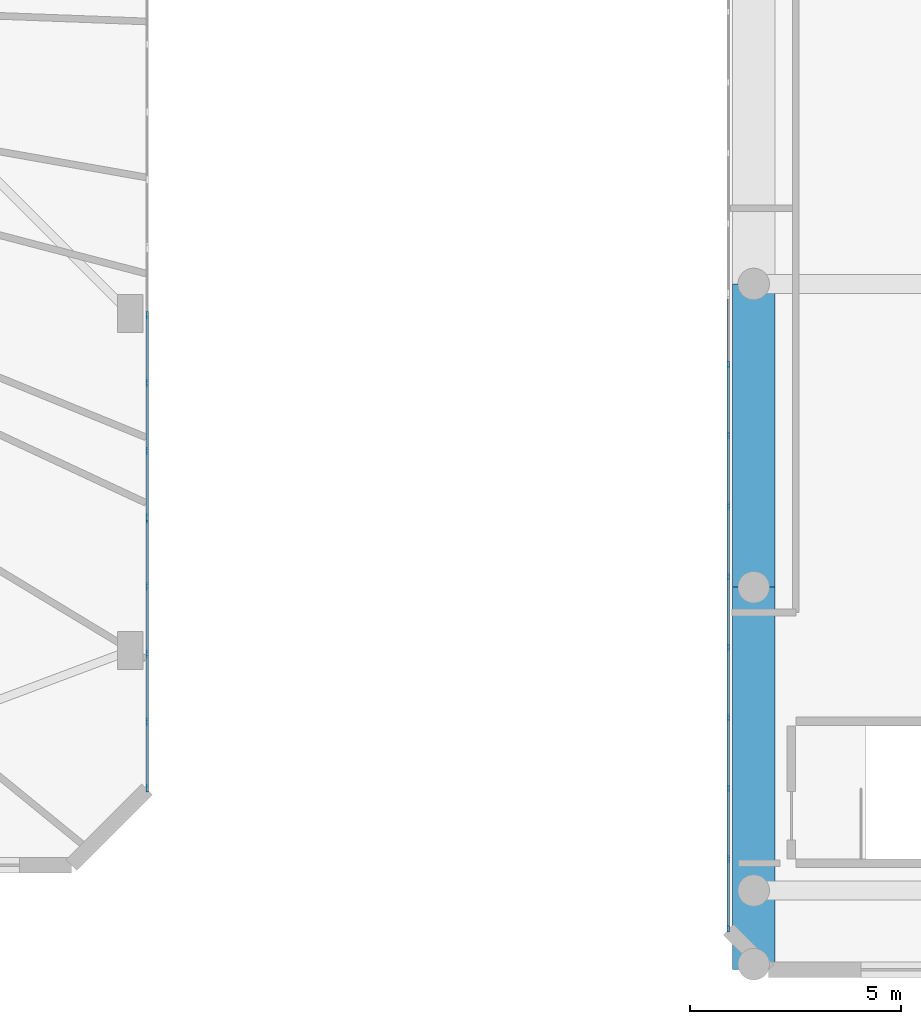
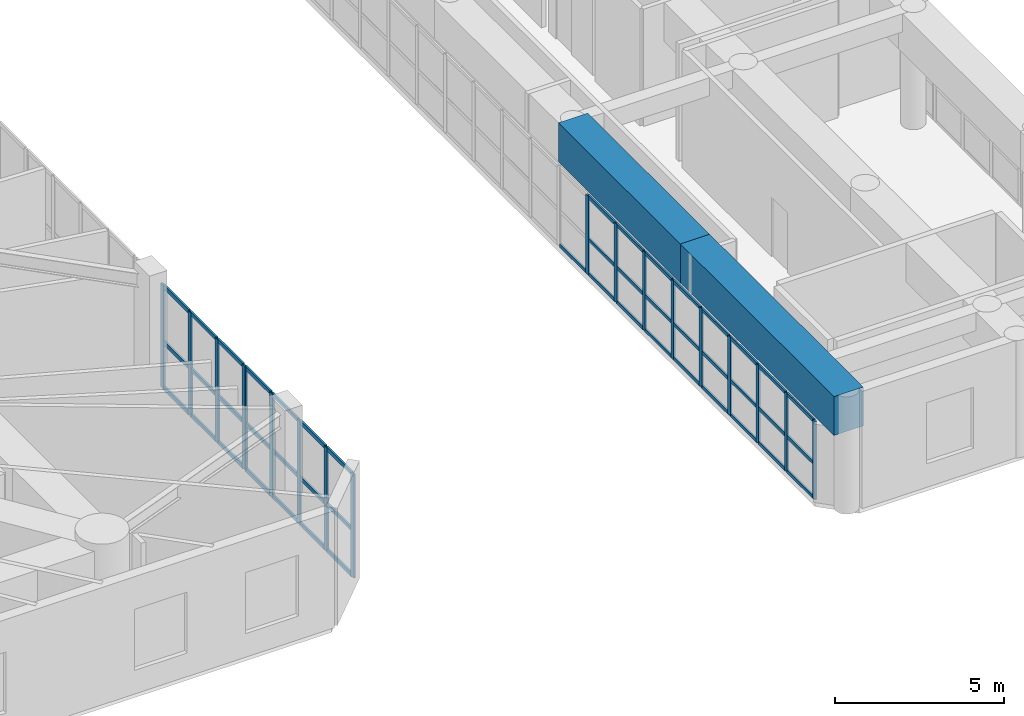
# One storey, part 2 of 22: 64 members, 2 beams, 3 elements without a shape of their own.
"""IFC4 building model written with IfcOpenShell, lengths in metres."""

from ifc_helpers import new_model, si_unit, direction, frame, origin, origin_with_axes, origin_2d, place, context, subcontext, project, spatial, rectangle, extrude, source, transform, mapped, material, layer, layer_set, material_profile, profile_set, type_object, element, aggregate, save


model = new_model("IFC4")

# Units and contexts
model_context = context("Model", 3, precision=1e-05, world=origin(), true_north=direction((0.0, 1.0)))
body_context = subcontext(model_context, "Body", "Model", "MODEL_VIEW")
ifc_project = project(units=[si_unit("LENGTHUNIT", "METRE"), si_unit("AREAUNIT", "SQUARE_METRE"), si_unit("VOLUMEUNIT", "CUBIC_METRE"), si_unit("PLANEANGLEUNIT", "RADIAN"), si_unit("MASSUNIT", "GRAM", prefix="KILO")], contexts=[model_context])

# Site, building, storey
site_placement = place(None, origin())
site = spatial("IfcSite", under=ifc_project, at=site_placement, CompositionType="ELEMENT")
building_placement = place(site_placement, origin())
building = spatial("IfcBuilding", under=site, at=building_placement, Name="Karkom Vertical University and Central Library", CompositionType="ELEMENT")
storey_placement = place(building_placement, frame((0.0, 0.0, 18.0)))
storey = spatial("IfcBuildingStorey", under=building, at=storey_placement, Name="L04", CompositionType="ELEMENT", Elevation=18.0)

# Beams
ifc_material_1 = material(Name="Concrete C50/60", Category="concrete")
ifc_material_profile_1 = material_profile(ifc_material_1, rectangle(XDim=1.0, YDim=1.39990234375, at=origin_2d()), Name="TG-1000x1400")
ifc_profile_set_1 = profile_set([ifc_material_profile_1], Name="Concrete C50/60")
beam_type = type_object("IfcBeamType", Name="STR-BM-TG-2", PredefinedType="USERDEFINED", material=ifc_profile_set_1)
shared_shape_1 = source(origin_with_axes(), body_context, "Body", "SweptSolid", [
    extrude(rectangle(XDim=1.0, YDim=1.39990234375, at=origin_2d()), origin(), (0.0, 0.0, 1.0), 9.080078125),
])
beam_1_placement = place(storey_placement, frame((69.60009765625, 2.919921875, 3.52490234375), z_axis=(0.0, 1.0, 0.0), x_axis=(-1.0, 0.0, 0.0)))
element("IfcBeam", 1, at=beam_1_placement, inside=storey, type_object=beam_type, Name="Level 04 Library Vault Transfer Eave Girder 1.1", ObjectType="GIRDER", PredefinedType="USERDEFINED", context=body_context, shape_type="MappedRepresentation", body=[
    mapped(shared_shape_1, transform((0.0, 0.0, 0.0), scale=1.0)),
])
shared_shape_2 = source(origin_with_axes(), body_context, "Body", "SweptSolid", [
    extrude(rectangle(XDim=1.0, YDim=1.39990234375, at=origin_2d()), origin(), (0.0, 0.0, 1.0), 7.199951171875),
])
beam_2_placement = place(storey_placement, frame((69.60009765625, 12.0, 3.52490234375), z_axis=(0.0, 1.0, 0.0), x_axis=(-1.0, 0.0, 0.0)))
element("IfcBeam", 2, at=beam_2_placement, inside=storey, type_object=beam_type, Name="Level 04 Library Vault Transfer Eave Girder 1.2", ObjectType="GIRDER", PredefinedType="USERDEFINED", context=body_context, shape_type="MappedRepresentation", body=[
    mapped(shared_shape_2, transform((0.0, 0.0, 0.0), scale=1.0)),
])

# Curtain wall, members
ifc_material_2 = material(Name="Aluminium curtain-wall framing and low-E IGU", Category="aluminium")
ifc_layer_1 = layer(ifc_material_2, 0.199951171875)
ifc_layer_set_1 = layer_set([ifc_layer_1], Name="Aluminium curtain-wall framing and low-E IGU")
curtain_wall_type_1 = type_object("IfcCurtainWallType", Name="ENV-CW-4", PredefinedType="USERDEFINED", material=ifc_layer_set_1)
curtain_wall_1_placement = place(storey_placement, origin())
curtain_wall_1 = element("IfcCurtainWall", 3, at=curtain_wall_1_placement, inside=storey, type_object=curtain_wall_type_1, Name="Level 04 CW-4 Curtain Wall Level 04-CW4-3-1", ObjectType="UNITISED GLAZING", PredefinedType="USERDEFINED")
ifc_material_3 = material(Name="Anodised Aluminium 6063-T6", Category="aluminium")
ifc_material_profile_2 = material_profile(ifc_material_3, rectangle(XDim=0.06494140625, YDim=0.179931640625, at=origin_2d()), Name="ALU-M65x180")
ifc_profile_set_2 = profile_set([ifc_material_profile_2], Name="Anodised Aluminium 6063-T6")
member_type_1 = type_object("IfcMemberType", Name="ENV-MEM-ALU-M65x180", PredefinedType="MULLION", material=ifc_profile_set_2)
shared_shape_3 = source(origin_with_axes(), body_context, "Body", "SweptSolid", [
    extrude(rectangle(XDim=0.06494140625, YDim=0.179931640625, at=origin_2d()), origin(), (0.0, 0.0, 1.0), 3.72509765625),
])
member_1_placement = place(storey_placement, frame((55.199951171875, 7.232421875, 0.0), z_axis=(0.0, 0.0, 1.0), x_axis=(-1.0, 0.0, 0.0)))
member_1 = element("IfcMember", 4, at=member_1_placement, type_object=member_type_1, Name="CW-4 mullion 1", PredefinedType="MULLION", context=body_context, shape_type="MappedRepresentation", body=[
    mapped(shared_shape_3, transform((0.0, 0.0, 0.0), scale=1.0)),
])
member_2_placement = place(storey_placement, frame((55.199951171875, 8.808349609375, 0.0), z_axis=(0.0, 0.0, 1.0), x_axis=(-1.0, 0.0, 0.0)))
member_2 = element("IfcMember", 5, at=member_2_placement, type_object=member_type_1, Name="CW-4 mullion 2", PredefinedType="MULLION", context=body_context, shape_type="MappedRepresentation", body=[
    mapped(shared_shape_3, transform((0.0, 0.0, 0.0), scale=1.0)),
])
member_3_placement = place(storey_placement, frame((55.199951171875, 10.416748046875, 0.0), z_axis=(0.0, 0.0, 1.0), x_axis=(-1.0, 0.0, 0.0)))
member_3 = element("IfcMember", 6, at=member_3_placement, type_object=member_type_1, Name="CW-4 mullion 3", PredefinedType="MULLION", context=body_context, shape_type="MappedRepresentation", body=[
    mapped(shared_shape_3, transform((0.0, 0.0, 0.0), scale=1.0)),
])
member_4_placement = place(storey_placement, frame((55.199951171875, 12.02490234375, 0.0), z_axis=(0.0, 0.0, 1.0), x_axis=(-1.0, 0.0, 0.0)))
member_4 = element("IfcMember", 7, at=member_4_placement, type_object=member_type_1, Name="CW-4 mullion 4", PredefinedType="MULLION", context=body_context, shape_type="MappedRepresentation", body=[
    mapped(shared_shape_3, transform((0.0, 0.0, 0.0), scale=1.0)),
])
member_5_placement = place(storey_placement, frame((55.199951171875, 13.600830078125, 0.0), z_axis=(0.0, 0.0, 1.0), x_axis=(-1.0, 0.0, 0.0)))
member_5 = element("IfcMember", 8, at=member_5_placement, type_object=member_type_1, Name="CW-4 mullion 5", PredefinedType="MULLION", context=body_context, shape_type="MappedRepresentation", body=[
    mapped(shared_shape_3, transform((0.0, 0.0, 0.0), scale=1.0)),
])

curtain_wall_2_placement = place(storey_placement, origin())
curtain_wall_2 = element("IfcCurtainWall", 9, at=curtain_wall_2_placement, inside=storey, type_object=curtain_wall_type_1, Name="Level 04 CW-4 Curtain Wall Level 04-CW4-3-2", ObjectType="UNITISED GLAZING", PredefinedType="USERDEFINED")
member_6_placement = place(storey_placement, frame((55.199951171875, 13.665771484375, 0.0), z_axis=(0.0, 0.0, 1.0), x_axis=(-1.0, 0.0, 0.0)))
member_6 = element("IfcMember", 10, at=member_6_placement, type_object=member_type_1, Name="CW-4 mullion 1", PredefinedType="MULLION", context=body_context, shape_type="MappedRepresentation", body=[
    mapped(shared_shape_3, transform((0.0, 0.0, 0.0), scale=1.0)),
])
member_7_placement = place(storey_placement, frame((55.199951171875, 15.24169921875, 0.0), z_axis=(0.0, 0.0, 1.0), x_axis=(-1.0, 0.0, 0.0)))
member_7 = element("IfcMember", 11, at=member_7_placement, type_object=member_type_1, Name="CW-4 mullion 2", PredefinedType="MULLION", context=body_context, shape_type="MappedRepresentation", body=[
    mapped(shared_shape_3, transform((0.0, 0.0, 0.0), scale=1.0)),
])
member_8_placement = place(storey_placement, frame((55.199951171875, 16.85009765625, 0.0), z_axis=(0.0, 0.0, 1.0), x_axis=(-1.0, 0.0, 0.0)))
member_8 = element("IfcMember", 12, at=member_8_placement, type_object=member_type_1, Name="CW-4 mullion 3", PredefinedType="MULLION", context=body_context, shape_type="MappedRepresentation", body=[
    mapped(shared_shape_3, transform((0.0, 0.0, 0.0), scale=1.0)),
])
member_9_placement = place(storey_placement, frame((55.199951171875, 18.458251953125, 0.0), z_axis=(0.0, 0.0, 1.0), x_axis=(-1.0, 0.0, 0.0)))
member_9 = element("IfcMember", 13, at=member_9_placement, type_object=member_type_1, Name="CW-4 mullion 4", PredefinedType="MULLION", context=body_context, shape_type="MappedRepresentation", body=[
    mapped(shared_shape_3, transform((0.0, 0.0, 0.0), scale=1.0)),
])

# Member
ifc_material_profile_3 = material_profile(ifc_material_3, rectangle(XDim=0.06494140625, YDim=0.135009765625, at=origin_2d()), Name="ALU-T65x135")
ifc_profile_set_3 = profile_set([ifc_material_profile_3], Name="Anodised Aluminium 6063-T6")
member_type_2 = type_object("IfcMemberType", Name="ENV-MEM-ALU-T65x135", PredefinedType="USERDEFINED", material=ifc_profile_set_3)
shared_shape_4 = source(origin_with_axes(), body_context, "Body", "SweptSolid", [
    extrude(rectangle(XDim=0.06494140625, YDim=0.135009765625, at=origin_2d()), origin(), (0.0, 0.0, 1.0), 1.510986328125),
])
member_10_placement = place(storey_placement, frame((55.199951171875, 7.264892578125, 0.032470703125), z_axis=(0.0, 1.0, 0.0), x_axis=(-1.0, 0.0, 0.0)))
member_10 = element("IfcMember", 14, at=member_10_placement, type_object=member_type_2, Name="CW-4 transom 1.1", ObjectType="TRANSOM", PredefinedType="USERDEFINED", context=body_context, shape_type="MappedRepresentation", body=[
    mapped(shared_shape_4, transform((0.0, 0.0, 0.0), scale=1.0)),
])

member_11_placement = place(storey_placement, frame((55.199951171875, 7.264892578125, 1.67626953125), z_axis=(0.0, 1.0, 0.0), x_axis=(-1.0, 0.0, 0.0)))
member_11 = element("IfcMember", 15, at=member_11_placement, type_object=member_type_2, Name="CW-4 transom 1.2", ObjectType="TRANSOM", PredefinedType="USERDEFINED", context=body_context, shape_type="MappedRepresentation", body=[
    mapped(shared_shape_4, transform((0.0, 0.0, 0.0), scale=1.0)),
])

member_12_placement = place(storey_placement, frame((55.199951171875, 7.264892578125, 3.6923828125), z_axis=(0.0, 1.0, 0.0), x_axis=(-1.0, 0.0, 0.0)))
member_12 = element("IfcMember", 16, at=member_12_placement, type_object=member_type_2, Name="CW-4 transom 1.3", ObjectType="TRANSOM", PredefinedType="USERDEFINED", context=body_context, shape_type="MappedRepresentation", body=[
    mapped(shared_shape_4, transform((0.0, 0.0, 0.0), scale=1.0)),
])

member_13_placement = place(storey_placement, frame((55.199951171875, 12.057373046875, 0.032470703125), z_axis=(0.0, 1.0, 0.0), x_axis=(-1.0, 0.0, 0.0)))
member_13 = element("IfcMember", 17, at=member_13_placement, type_object=member_type_2, Name="CW-4 transom 4.1", ObjectType="TRANSOM", PredefinedType="USERDEFINED", context=body_context, shape_type="MappedRepresentation", body=[
    mapped(shared_shape_4, transform((0.0, 0.0, 0.0), scale=1.0)),
])

member_14_placement = place(storey_placement, frame((55.199951171875, 12.057373046875, 1.67626953125), z_axis=(0.0, 1.0, 0.0), x_axis=(-1.0, 0.0, 0.0)))
member_14 = element("IfcMember", 18, at=member_14_placement, type_object=member_type_2, Name="CW-4 transom 4.2", ObjectType="TRANSOM", PredefinedType="USERDEFINED", context=body_context, shape_type="MappedRepresentation", body=[
    mapped(shared_shape_4, transform((0.0, 0.0, 0.0), scale=1.0)),
])

member_15_placement = place(storey_placement, frame((55.199951171875, 12.057373046875, 3.6923828125), z_axis=(0.0, 1.0, 0.0), x_axis=(-1.0, 0.0, 0.0)))
member_15 = element("IfcMember", 19, at=member_15_placement, type_object=member_type_2, Name="CW-4 transom 4.3", ObjectType="TRANSOM", PredefinedType="USERDEFINED", context=body_context, shape_type="MappedRepresentation", body=[
    mapped(shared_shape_4, transform((0.0, 0.0, 0.0), scale=1.0)),
])

member_16_placement = place(storey_placement, frame((55.199951171875, 13.6982421875, 0.032470703125), z_axis=(0.0, 1.0, 0.0), x_axis=(-1.0, 0.0, 0.0)))
member_16 = element("IfcMember", 20, at=member_16_placement, type_object=member_type_2, Name="CW-4 transom 1.1", ObjectType="TRANSOM", PredefinedType="USERDEFINED", context=body_context, shape_type="MappedRepresentation", body=[
    mapped(shared_shape_4, transform((0.0, 0.0, 0.0), scale=1.0)),
])

member_17_placement = place(storey_placement, frame((55.199951171875, 13.6982421875, 1.67626953125), z_axis=(0.0, 1.0, 0.0), x_axis=(-1.0, 0.0, 0.0)))
member_17 = element("IfcMember", 21, at=member_17_placement, type_object=member_type_2, Name="CW-4 transom 1.2", ObjectType="TRANSOM", PredefinedType="USERDEFINED", context=body_context, shape_type="MappedRepresentation", body=[
    mapped(shared_shape_4, transform((0.0, 0.0, 0.0), scale=1.0)),
])

member_18_placement = place(storey_placement, frame((55.199951171875, 13.6982421875, 3.6923828125), z_axis=(0.0, 1.0, 0.0), x_axis=(-1.0, 0.0, 0.0)))
member_18 = element("IfcMember", 22, at=member_18_placement, type_object=member_type_2, Name="CW-4 transom 1.3", ObjectType="TRANSOM", PredefinedType="USERDEFINED", context=body_context, shape_type="MappedRepresentation", body=[
    mapped(shared_shape_4, transform((0.0, 0.0, 0.0), scale=1.0)),
])

shared_shape_5 = source(origin_with_axes(), body_context, "Body", "SweptSolid", [
    extrude(rectangle(XDim=0.06494140625, YDim=0.135009765625, at=origin_2d()), origin(), (0.0, 0.0, 1.0), 1.543212890625),
])
member_19_placement = place(storey_placement, frame((55.199951171875, 8.8408203125, 0.032470703125), z_axis=(0.0, 1.0, 0.0), x_axis=(-1.0, 0.0, 0.0)))
member_19 = element("IfcMember", 23, at=member_19_placement, type_object=member_type_2, Name="CW-4 transom 2.1", ObjectType="TRANSOM", PredefinedType="USERDEFINED", context=body_context, shape_type="MappedRepresentation", body=[
    mapped(shared_shape_5, transform((0.0, 0.0, 0.0), scale=1.0)),
])

member_20_placement = place(storey_placement, frame((55.199951171875, 8.8408203125, 1.67626953125), z_axis=(0.0, 1.0, 0.0), x_axis=(-1.0, 0.0, 0.0)))
member_20 = element("IfcMember", 24, at=member_20_placement, type_object=member_type_2, Name="CW-4 transom 2.2", ObjectType="TRANSOM", PredefinedType="USERDEFINED", context=body_context, shape_type="MappedRepresentation", body=[
    mapped(shared_shape_5, transform((0.0, 0.0, 0.0), scale=1.0)),
])

member_21_placement = place(storey_placement, frame((55.199951171875, 8.8408203125, 3.6923828125), z_axis=(0.0, 1.0, 0.0), x_axis=(-1.0, 0.0, 0.0)))
member_21 = element("IfcMember", 25, at=member_21_placement, type_object=member_type_2, Name="CW-4 transom 2.3", ObjectType="TRANSOM", PredefinedType="USERDEFINED", context=body_context, shape_type="MappedRepresentation", body=[
    mapped(shared_shape_5, transform((0.0, 0.0, 0.0), scale=1.0)),
])

member_22_placement = place(storey_placement, frame((55.199951171875, 10.44921875, 0.032470703125), z_axis=(0.0, 1.0, 0.0), x_axis=(-1.0, 0.0, 0.0)))
member_22 = element("IfcMember", 26, at=member_22_placement, type_object=member_type_2, Name="CW-4 transom 3.1", ObjectType="TRANSOM", PredefinedType="USERDEFINED", context=body_context, shape_type="MappedRepresentation", body=[
    mapped(shared_shape_5, transform((0.0, 0.0, 0.0), scale=1.0)),
])

member_23_placement = place(storey_placement, frame((55.199951171875, 10.44921875, 1.67626953125), z_axis=(0.0, 1.0, 0.0), x_axis=(-1.0, 0.0, 0.0)))
member_23 = element("IfcMember", 27, at=member_23_placement, type_object=member_type_2, Name="CW-4 transom 3.2", ObjectType="TRANSOM", PredefinedType="USERDEFINED", context=body_context, shape_type="MappedRepresentation", body=[
    mapped(shared_shape_5, transform((0.0, 0.0, 0.0), scale=1.0)),
])

member_24_placement = place(storey_placement, frame((55.199951171875, 10.44921875, 3.6923828125), z_axis=(0.0, 1.0, 0.0), x_axis=(-1.0, 0.0, 0.0)))
member_24 = element("IfcMember", 28, at=member_24_placement, type_object=member_type_2, Name="CW-4 transom 3.3", ObjectType="TRANSOM", PredefinedType="USERDEFINED", context=body_context, shape_type="MappedRepresentation", body=[
    mapped(shared_shape_5, transform((0.0, 0.0, 0.0), scale=1.0)),
])

aggregate(curtain_wall_1, [member_1, member_2, member_3, member_4, member_5, member_10, member_11, member_12, member_19, member_20, member_21, member_22, member_23, member_24, member_13, member_14, member_15])

member_25_placement = place(storey_placement, frame((55.199951171875, 15.274169921875, 0.032470703125), z_axis=(0.0, 1.0, 0.0), x_axis=(-1.0, 0.0, 0.0)))
member_25 = element("IfcMember", 29, at=member_25_placement, type_object=member_type_2, Name="CW-4 transom 2.1", ObjectType="TRANSOM", PredefinedType="USERDEFINED", context=body_context, shape_type="MappedRepresentation", body=[
    mapped(shared_shape_5, transform((0.0, 0.0, 0.0), scale=1.0)),
])

member_26_placement = place(storey_placement, frame((55.199951171875, 15.274169921875, 1.67626953125), z_axis=(0.0, 1.0, 0.0), x_axis=(-1.0, 0.0, 0.0)))
member_26 = element("IfcMember", 30, at=member_26_placement, type_object=member_type_2, Name="CW-4 transom 2.2", ObjectType="TRANSOM", PredefinedType="USERDEFINED", context=body_context, shape_type="MappedRepresentation", body=[
    mapped(shared_shape_5, transform((0.0, 0.0, 0.0), scale=1.0)),
])

member_27_placement = place(storey_placement, frame((55.199951171875, 15.274169921875, 3.6923828125), z_axis=(0.0, 1.0, 0.0), x_axis=(-1.0, 0.0, 0.0)))
member_27 = element("IfcMember", 31, at=member_27_placement, type_object=member_type_2, Name="CW-4 transom 2.3", ObjectType="TRANSOM", PredefinedType="USERDEFINED", context=body_context, shape_type="MappedRepresentation", body=[
    mapped(shared_shape_5, transform((0.0, 0.0, 0.0), scale=1.0)),
])

member_28_placement = place(storey_placement, frame((55.199951171875, 16.882568359375, 0.032470703125), z_axis=(0.0, 1.0, 0.0), x_axis=(-1.0, 0.0, 0.0)))
member_28 = element("IfcMember", 32, at=member_28_placement, type_object=member_type_2, Name="CW-4 transom 3.1", ObjectType="TRANSOM", PredefinedType="USERDEFINED", context=body_context, shape_type="MappedRepresentation", body=[
    mapped(shared_shape_5, transform((0.0, 0.0, 0.0), scale=1.0)),
])

member_29_placement = place(storey_placement, frame((55.199951171875, 16.882568359375, 1.67626953125), z_axis=(0.0, 1.0, 0.0), x_axis=(-1.0, 0.0, 0.0)))
member_29 = element("IfcMember", 33, at=member_29_placement, type_object=member_type_2, Name="CW-4 transom 3.2", ObjectType="TRANSOM", PredefinedType="USERDEFINED", context=body_context, shape_type="MappedRepresentation", body=[
    mapped(shared_shape_5, transform((0.0, 0.0, 0.0), scale=1.0)),
])

member_30_placement = place(storey_placement, frame((55.199951171875, 16.882568359375, 3.6923828125), z_axis=(0.0, 1.0, 0.0), x_axis=(-1.0, 0.0, 0.0)))
member_30 = element("IfcMember", 34, at=member_30_placement, type_object=member_type_2, Name="CW-4 transom 3.3", ObjectType="TRANSOM", PredefinedType="USERDEFINED", context=body_context, shape_type="MappedRepresentation", body=[
    mapped(shared_shape_5, transform((0.0, 0.0, 0.0), scale=1.0)),
])

aggregate(curtain_wall_2, [member_6, member_7, member_8, member_9, member_16, member_17, member_18, member_25, member_26, member_27, member_28, member_29, member_30])

# Curtain wall, members
ifc_layer_2 = layer(ifc_material_2, 0.199951171875)
ifc_layer_set_2 = layer_set([ifc_layer_2], Name="Aluminium curtain-wall framing and low-E IGU")
curtain_wall_type_2 = type_object("IfcCurtainWallType", Name="ENV-CW-2", PredefinedType="USERDEFINED", material=ifc_layer_set_2)
curtain_wall_3_placement = place(storey_placement, origin())
curtain_wall_3 = element("IfcCurtainWall", 35, at=curtain_wall_3_placement, inside=storey, type_object=curtain_wall_type_2, Name="Level 04 CW-2 Curtain Wall Level 04-CW2-7-3", ObjectType="STICK MULLION GLAZING", PredefinedType="USERDEFINED")
ifc_material_profile_4 = material_profile(ifc_material_3, rectangle(XDim=0.06005859375, YDim=0.159912109375, at=origin_2d()), Name="ALU-M60x160")
ifc_profile_set_4 = profile_set([ifc_material_profile_4], Name="Anodised Aluminium 6063-T6")
member_type_3 = type_object("IfcMemberType", Name="ENV-MEM-ALU-M60x160", PredefinedType="MULLION", material=ifc_profile_set_4)
shared_shape_6 = source(origin_with_axes(), body_context, "Body", "SweptSolid", [
    extrude(rectangle(XDim=0.06005859375, YDim=0.159912109375, at=origin_2d()), origin(), (0.0, 0.0, 1.0), 2.824951171875),
])
member_31_placement = place(storey_placement, frame((69.0, 17.280517578125, 0.0), z_axis=(0.0, 0.0, 1.0), x_axis=(1.0, 0.0, 0.0)))
member_31 = element("IfcMember", 36, at=member_31_placement, type_object=member_type_3, Name="CW-2 mullion 2", PredefinedType="MULLION", context=body_context, shape_type="MappedRepresentation", body=[
    mapped(shared_shape_6, transform((0.0, 0.0, 0.0), scale=1.0)),
])
member_32_placement = place(storey_placement, frame((69.0, 15.60400390625, 0.0), z_axis=(0.0, 0.0, 1.0), x_axis=(1.0, 0.0, 0.0)))
member_32 = element("IfcMember", 37, at=member_32_placement, type_object=member_type_3, Name="CW-2 mullion 3", PredefinedType="MULLION", context=body_context, shape_type="MappedRepresentation", body=[
    mapped(shared_shape_6, transform((0.0, 0.0, 0.0), scale=1.0)),
])
member_33_placement = place(storey_placement, frame((69.0, 13.927734375, 0.0), z_axis=(0.0, 0.0, 1.0), x_axis=(1.0, 0.0, 0.0)))
member_33 = element("IfcMember", 38, at=member_33_placement, type_object=member_type_3, Name="CW-2 mullion 4", PredefinedType="MULLION", context=body_context, shape_type="MappedRepresentation", body=[
    mapped(shared_shape_6, transform((0.0, 0.0, 0.0), scale=1.0)),
])
member_34_placement = place(storey_placement, frame((69.0, 12.25146484375, 0.0), z_axis=(0.0, 0.0, 1.0), x_axis=(1.0, 0.0, 0.0)))
member_34 = element("IfcMember", 39, at=member_34_placement, type_object=member_type_3, Name="CW-2 mullion 5", PredefinedType="MULLION", context=body_context, shape_type="MappedRepresentation", body=[
    mapped(shared_shape_6, transform((0.0, 0.0, 0.0), scale=1.0)),
])
member_35_placement = place(storey_placement, frame((69.0, 10.5751953125, 0.0), z_axis=(0.0, 0.0, 1.0), x_axis=(1.0, 0.0, 0.0)))
member_35 = element("IfcMember", 40, at=member_35_placement, type_object=member_type_3, Name="CW-2 mullion 6", PredefinedType="MULLION", context=body_context, shape_type="MappedRepresentation", body=[
    mapped(shared_shape_6, transform((0.0, 0.0, 0.0), scale=1.0)),
])
member_36_placement = place(storey_placement, frame((69.0, 8.89892578125, 0.0), z_axis=(0.0, 0.0, 1.0), x_axis=(1.0, 0.0, 0.0)))
member_36 = element("IfcMember", 41, at=member_36_placement, type_object=member_type_3, Name="CW-2 mullion 7", PredefinedType="MULLION", context=body_context, shape_type="MappedRepresentation", body=[
    mapped(shared_shape_6, transform((0.0, 0.0, 0.0), scale=1.0)),
])
member_37_placement = place(storey_placement, frame((69.0, 7.22265625, 0.0), z_axis=(0.0, 0.0, 1.0), x_axis=(1.0, 0.0, 0.0)))
member_37 = element("IfcMember", 42, at=member_37_placement, type_object=member_type_3, Name="CW-2 mullion 8", PredefinedType="MULLION", context=body_context, shape_type="MappedRepresentation", body=[
    mapped(shared_shape_6, transform((0.0, 0.0, 0.0), scale=1.0)),
])
member_38_placement = place(storey_placement, frame((69.0, 5.54638671875, 0.0), z_axis=(0.0, 0.0, 1.0), x_axis=(1.0, 0.0, 0.0)))
member_38 = element("IfcMember", 43, at=member_38_placement, type_object=member_type_3, Name="CW-2 mullion 9", PredefinedType="MULLION", context=body_context, shape_type="MappedRepresentation", body=[
    mapped(shared_shape_6, transform((0.0, 0.0, 0.0), scale=1.0)),
])
member_39_placement = place(storey_placement, frame((69.0, 3.89990234375, 0.0), z_axis=(0.0, 0.0, 1.0), x_axis=(1.0, 0.0, 0.0)))
member_39 = element("IfcMember", 44, at=member_39_placement, type_object=member_type_3, Name="CW-2 mullion 10", PredefinedType="MULLION", context=body_context, shape_type="MappedRepresentation", body=[
    mapped(shared_shape_6, transform((0.0, 0.0, 0.0), scale=1.0)),
])
ifc_material_profile_5 = material_profile(ifc_material_3, rectangle(XDim=0.06005859375, YDim=0.1201171875, at=origin_2d()), Name="ALU-T60x120")
ifc_profile_set_5 = profile_set([ifc_material_profile_5], Name="Anodised Aluminium 6063-T6")
member_type_4 = type_object("IfcMemberType", Name="ENV-MEM-ALU-T60x120", PredefinedType="USERDEFINED", material=ifc_profile_set_5)
shared_shape_7 = source(origin_with_axes(), body_context, "Body", "SweptSolid", [
    extrude(rectangle(XDim=0.06005859375, YDim=0.1201171875, at=origin_2d()), origin(), (0.0, 0.0, 1.0), 1.58642578125),
])
member_40_placement = place(storey_placement, frame((69.0, 18.896728515625, 0.030029296875), z_axis=(0.0, -1.0, 0.0), x_axis=(1.0, 0.0, 0.0)))
member_40 = element("IfcMember", 45, at=member_40_placement, type_object=member_type_4, Name="CW-2 transom 1.1", ObjectType="TRANSOM", PredefinedType="USERDEFINED", context=body_context, shape_type="MappedRepresentation", body=[
    mapped(shared_shape_7, transform((0.0, 0.0, 0.0), scale=1.0)),
])
member_41_placement = place(storey_placement, frame((69.0, 5.516357421875, 0.030029296875), z_axis=(0.0, -1.0, 0.0), x_axis=(1.0, 0.0, 0.0)))
member_41 = element("IfcMember", 46, at=member_41_placement, type_object=member_type_4, Name="CW-2 transom 9.1", ObjectType="TRANSOM", PredefinedType="USERDEFINED", context=body_context, shape_type="MappedRepresentation", body=[
    mapped(shared_shape_7, transform((0.0, 0.0, 0.0), scale=1.0)),
])
member_42_placement = place(storey_placement, frame((69.0, 5.516357421875, 1.271240234375), z_axis=(0.0, -1.0, 0.0), x_axis=(1.0, 0.0, 0.0)))
member_42 = element("IfcMember", 47, at=member_42_placement, type_object=member_type_4, Name="CW-2 transom 9.2", ObjectType="TRANSOM", PredefinedType="USERDEFINED", context=body_context, shape_type="MappedRepresentation", body=[
    mapped(shared_shape_7, transform((0.0, 0.0, 0.0), scale=1.0)),
])
member_43_placement = place(storey_placement, frame((69.0, 5.516357421875, 2.794921875), z_axis=(0.0, -1.0, 0.0), x_axis=(1.0, 0.0, 0.0)))
member_43 = element("IfcMember", 48, at=member_43_placement, type_object=member_type_4, Name="CW-2 transom 9.3", ObjectType="TRANSOM", PredefinedType="USERDEFINED", context=body_context, shape_type="MappedRepresentation", body=[
    mapped(shared_shape_7, transform((0.0, 0.0, 0.0), scale=1.0)),
])
shared_shape_8 = source(origin_with_axes(), body_context, "Body", "SweptSolid", [
    extrude(rectangle(XDim=0.06005859375, YDim=0.1201171875, at=origin_2d()), origin(), (0.0, 0.0, 1.0), 1.6162109375),
])
member_44_placement = place(storey_placement, frame((69.0, 13.897705078125, 0.030029296875), z_axis=(0.0, -1.0, 0.0), x_axis=(1.0, 0.0, 0.0)))
member_44 = element("IfcMember", 49, at=member_44_placement, type_object=member_type_4, Name="CW-2 transom 4.1", ObjectType="TRANSOM", PredefinedType="USERDEFINED", context=body_context, shape_type="MappedRepresentation", body=[
    mapped(shared_shape_8, transform((0.0, 0.0, 0.0), scale=1.0)),
])
member_45_placement = place(storey_placement, frame((69.0, 13.897705078125, 1.271240234375), z_axis=(0.0, -1.0, 0.0), x_axis=(1.0, 0.0, 0.0)))
member_45 = element("IfcMember", 50, at=member_45_placement, type_object=member_type_4, Name="CW-2 transom 4.2", ObjectType="TRANSOM", PredefinedType="USERDEFINED", context=body_context, shape_type="MappedRepresentation", body=[
    mapped(shared_shape_8, transform((0.0, 0.0, 0.0), scale=1.0)),
])
member_46_placement = place(storey_placement, frame((69.0, 13.897705078125, 2.794921875), z_axis=(0.0, -1.0, 0.0), x_axis=(1.0, 0.0, 0.0)))
member_46 = element("IfcMember", 51, at=member_46_placement, type_object=member_type_4, Name="CW-2 transom 4.3", ObjectType="TRANSOM", PredefinedType="USERDEFINED", context=body_context, shape_type="MappedRepresentation", body=[
    mapped(shared_shape_8, transform((0.0, 0.0, 0.0), scale=1.0)),
])
member_47_placement = place(storey_placement, frame((69.0, 12.221435546875, 0.030029296875), z_axis=(0.0, -1.0, 0.0), x_axis=(1.0, 0.0, 0.0)))
member_47 = element("IfcMember", 52, at=member_47_placement, type_object=member_type_4, Name="CW-2 transom 5.1", ObjectType="TRANSOM", PredefinedType="USERDEFINED", context=body_context, shape_type="MappedRepresentation", body=[
    mapped(shared_shape_8, transform((0.0, 0.0, 0.0), scale=1.0)),
])
member_48_placement = place(storey_placement, frame((69.0, 12.221435546875, 1.271240234375), z_axis=(0.0, -1.0, 0.0), x_axis=(1.0, 0.0, 0.0)))
member_48 = element("IfcMember", 53, at=member_48_placement, type_object=member_type_4, Name="CW-2 transom 5.2", ObjectType="TRANSOM", PredefinedType="USERDEFINED", context=body_context, shape_type="MappedRepresentation", body=[
    mapped(shared_shape_8, transform((0.0, 0.0, 0.0), scale=1.0)),
])
member_49_placement = place(storey_placement, frame((69.0, 12.221435546875, 2.794921875), z_axis=(0.0, -1.0, 0.0), x_axis=(1.0, 0.0, 0.0)))
member_49 = element("IfcMember", 54, at=member_49_placement, type_object=member_type_4, Name="CW-2 transom 5.3", ObjectType="TRANSOM", PredefinedType="USERDEFINED", context=body_context, shape_type="MappedRepresentation", body=[
    mapped(shared_shape_8, transform((0.0, 0.0, 0.0), scale=1.0)),
])
member_50_placement = place(storey_placement, frame((69.0, 10.545166015625, 0.030029296875), z_axis=(0.0, -1.0, 0.0), x_axis=(1.0, 0.0, 0.0)))
member_50 = element("IfcMember", 55, at=member_50_placement, type_object=member_type_4, Name="CW-2 transom 6.1", ObjectType="TRANSOM", PredefinedType="USERDEFINED", context=body_context, shape_type="MappedRepresentation", body=[
    mapped(shared_shape_8, transform((0.0, 0.0, 0.0), scale=1.0)),
])
member_51_placement = place(storey_placement, frame((69.0, 10.545166015625, 1.271240234375), z_axis=(0.0, -1.0, 0.0), x_axis=(1.0, 0.0, 0.0)))
member_51 = element("IfcMember", 56, at=member_51_placement, type_object=member_type_4, Name="CW-2 transom 6.2", ObjectType="TRANSOM", PredefinedType="USERDEFINED", context=body_context, shape_type="MappedRepresentation", body=[
    mapped(shared_shape_8, transform((0.0, 0.0, 0.0), scale=1.0)),
])
member_52_placement = place(storey_placement, frame((69.0, 10.545166015625, 2.794921875), z_axis=(0.0, -1.0, 0.0), x_axis=(1.0, 0.0, 0.0)))
member_52 = element("IfcMember", 57, at=member_52_placement, type_object=member_type_4, Name="CW-2 transom 6.3", ObjectType="TRANSOM", PredefinedType="USERDEFINED", context=body_context, shape_type="MappedRepresentation", body=[
    mapped(shared_shape_8, transform((0.0, 0.0, 0.0), scale=1.0)),
])
member_53_placement = place(storey_placement, frame((69.0, 8.868896484375, 0.030029296875), z_axis=(0.0, -1.0, 0.0), x_axis=(1.0, 0.0, 0.0)))
member_53 = element("IfcMember", 58, at=member_53_placement, type_object=member_type_4, Name="CW-2 transom 7.1", ObjectType="TRANSOM", PredefinedType="USERDEFINED", context=body_context, shape_type="MappedRepresentation", body=[
    mapped(shared_shape_8, transform((0.0, 0.0, 0.0), scale=1.0)),
])
member_54_placement = place(storey_placement, frame((69.0, 8.868896484375, 1.271240234375), z_axis=(0.0, -1.0, 0.0), x_axis=(1.0, 0.0, 0.0)))
member_54 = element("IfcMember", 59, at=member_54_placement, type_object=member_type_4, Name="CW-2 transom 7.2", ObjectType="TRANSOM", PredefinedType="USERDEFINED", context=body_context, shape_type="MappedRepresentation", body=[
    mapped(shared_shape_8, transform((0.0, 0.0, 0.0), scale=1.0)),
])
member_55_placement = place(storey_placement, frame((69.0, 8.868896484375, 2.794921875), z_axis=(0.0, -1.0, 0.0), x_axis=(1.0, 0.0, 0.0)))
member_55 = element("IfcMember", 60, at=member_55_placement, type_object=member_type_4, Name="CW-2 transom 7.3", ObjectType="TRANSOM", PredefinedType="USERDEFINED", context=body_context, shape_type="MappedRepresentation", body=[
    mapped(shared_shape_8, transform((0.0, 0.0, 0.0), scale=1.0)),
])
member_56_placement = place(storey_placement, frame((69.0, 7.192626953125, 0.030029296875), z_axis=(0.0, -1.0, 0.0), x_axis=(1.0, 0.0, 0.0)))
member_56 = element("IfcMember", 61, at=member_56_placement, type_object=member_type_4, Name="CW-2 transom 8.1", ObjectType="TRANSOM", PredefinedType="USERDEFINED", context=body_context, shape_type="MappedRepresentation", body=[
    mapped(shared_shape_8, transform((0.0, 0.0, 0.0), scale=1.0)),
])
member_57_placement = place(storey_placement, frame((69.0, 7.192626953125, 1.271240234375), z_axis=(0.0, -1.0, 0.0), x_axis=(1.0, 0.0, 0.0)))
member_57 = element("IfcMember", 62, at=member_57_placement, type_object=member_type_4, Name="CW-2 transom 8.2", ObjectType="TRANSOM", PredefinedType="USERDEFINED", context=body_context, shape_type="MappedRepresentation", body=[
    mapped(shared_shape_8, transform((0.0, 0.0, 0.0), scale=1.0)),
])
member_58_placement = place(storey_placement, frame((69.0, 7.192626953125, 2.794921875), z_axis=(0.0, -1.0, 0.0), x_axis=(1.0, 0.0, 0.0)))
member_58 = element("IfcMember", 63, at=member_58_placement, type_object=member_type_4, Name="CW-2 transom 8.3", ObjectType="TRANSOM", PredefinedType="USERDEFINED", context=body_context, shape_type="MappedRepresentation", body=[
    mapped(shared_shape_8, transform((0.0, 0.0, 0.0), scale=1.0)),
])
shared_shape_9 = source(origin_with_axes(), body_context, "Body", "SweptSolid", [
    extrude(rectangle(XDim=0.06005859375, YDim=0.1201171875, at=origin_2d()), origin(), (0.0, 0.0, 1.0), 1.616455078125),
])
member_59_placement = place(storey_placement, frame((69.0, 17.25048828125, 0.030029296875), z_axis=(0.0, -1.0, 0.0), x_axis=(1.0, 0.0, 0.0)))
member_59 = element("IfcMember", 64, at=member_59_placement, type_object=member_type_4, Name="CW-2 transom 2.1", ObjectType="TRANSOM", PredefinedType="USERDEFINED", context=body_context, shape_type="MappedRepresentation", body=[
    mapped(shared_shape_9, transform((0.0, 0.0, 0.0), scale=1.0)),
])
member_60_placement = place(storey_placement, frame((69.0, 17.25048828125, 1.271240234375), z_axis=(0.0, -1.0, 0.0), x_axis=(1.0, 0.0, 0.0)))
member_60 = element("IfcMember", 65, at=member_60_placement, type_object=member_type_4, Name="CW-2 transom 2.2", ObjectType="TRANSOM", PredefinedType="USERDEFINED", context=body_context, shape_type="MappedRepresentation", body=[
    mapped(shared_shape_9, transform((0.0, 0.0, 0.0), scale=1.0)),
])
member_61_placement = place(storey_placement, frame((69.0, 17.25048828125, 2.794921875), z_axis=(0.0, -1.0, 0.0), x_axis=(1.0, 0.0, 0.0)))
member_61 = element("IfcMember", 66, at=member_61_placement, type_object=member_type_4, Name="CW-2 transom 2.3", ObjectType="TRANSOM", PredefinedType="USERDEFINED", context=body_context, shape_type="MappedRepresentation", body=[
    mapped(shared_shape_9, transform((0.0, 0.0, 0.0), scale=1.0)),
])
member_62_placement = place(storey_placement, frame((69.0, 15.57421875, 0.030029296875), z_axis=(0.0, -1.0, 0.0), x_axis=(1.0, 0.0, 0.0)))
member_62 = element("IfcMember", 67, at=member_62_placement, type_object=member_type_4, Name="CW-2 transom 3.1", ObjectType="TRANSOM", PredefinedType="USERDEFINED", context=body_context, shape_type="MappedRepresentation", body=[
    mapped(shared_shape_9, transform((0.0, 0.0, 0.0), scale=1.0)),
])
member_63_placement = place(storey_placement, frame((69.0, 15.57421875, 1.271240234375), z_axis=(0.0, -1.0, 0.0), x_axis=(1.0, 0.0, 0.0)))
member_63 = element("IfcMember", 68, at=member_63_placement, type_object=member_type_4, Name="CW-2 transom 3.2", ObjectType="TRANSOM", PredefinedType="USERDEFINED", context=body_context, shape_type="MappedRepresentation", body=[
    mapped(shared_shape_9, transform((0.0, 0.0, 0.0), scale=1.0)),
])
member_64_placement = place(storey_placement, frame((69.0, 15.57421875, 2.794921875), z_axis=(0.0, -1.0, 0.0), x_axis=(1.0, 0.0, 0.0)))
member_64 = element("IfcMember", 69, at=member_64_placement, type_object=member_type_4, Name="CW-2 transom 3.3", ObjectType="TRANSOM", PredefinedType="USERDEFINED", context=body_context, shape_type="MappedRepresentation", body=[
    mapped(shared_shape_9, transform((0.0, 0.0, 0.0), scale=1.0)),
])
aggregate(curtain_wall_3, [member_31, member_32, member_33, member_34, member_35, member_36, member_37, member_38, member_39, member_40, member_59, member_60, member_61, member_62, member_63, member_64, member_44, member_45, member_46, member_47, member_48, member_49, member_50, member_51, member_52, member_53, member_54, member_55, member_56, member_57, member_58, member_41, member_42, member_43])

save(model, "model.ifc")
